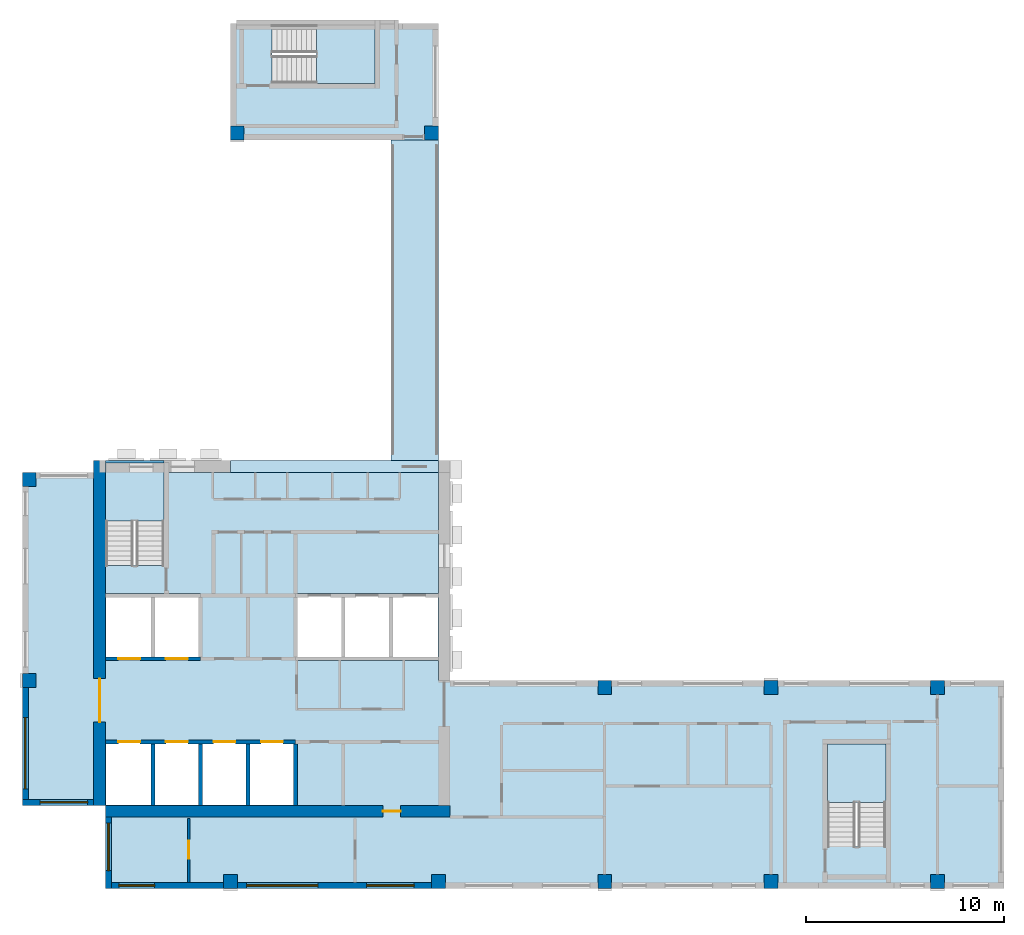
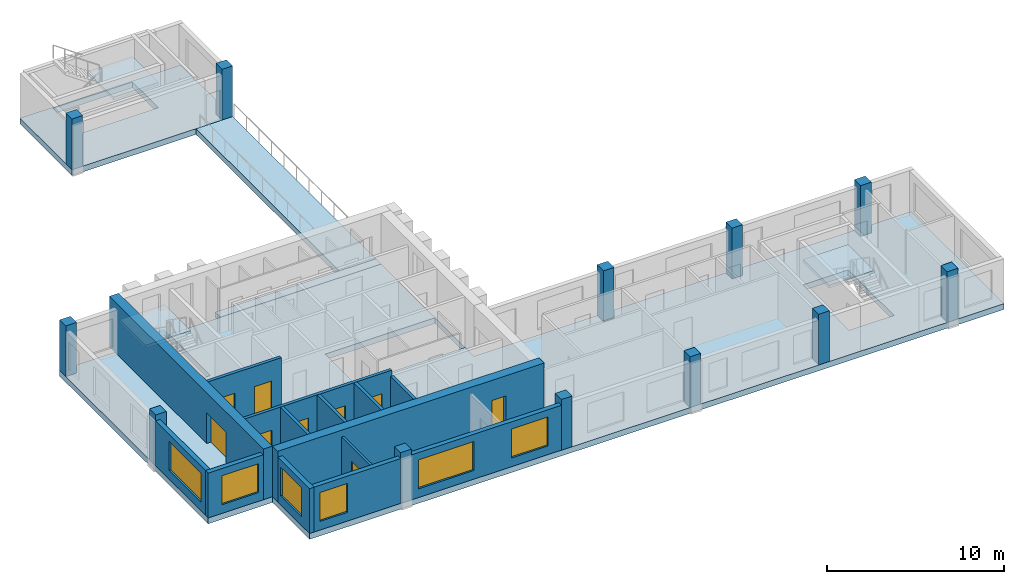
# One storey, part 1 of 9: 14 walls, 12 columns, 9 doors, 8 slabs, 6 windows, 15 openings, 3 elements without a shape of their own.
"""IFC4 building model written with IfcOpenShell, lengths in metres."""

from ifc_helpers import new_model, si_unit, direction, frame, frame_2d, origin, origin_2d, place, context, subcontext, project, spatial, polyline, rectangle, outline, extrude, source, transform, mapped, material, layer, layer_set, material_profile, profile_set, type_object, element, fill, aggregate, save


model = new_model("IFC4")

# Units and contexts
model_context = context("Model", 3, precision=1e-05, world=origin(), true_north=direction((0.0, 1.0)))
body_context = subcontext(model_context, "Body", "Model", "MODEL_VIEW")
ifc_project = project(units=[si_unit("LENGTHUNIT", "METRE"), si_unit("AREAUNIT", "SQUARE_METRE"), si_unit("VOLUMEUNIT", "CUBIC_METRE"), si_unit("PLANEANGLEUNIT", "RADIAN"), si_unit("MASSUNIT", "GRAM", prefix="KILO")], contexts=[model_context])

# Site, building, storey
site_placement = place(None, origin())
site = spatial("IfcSite", under=ifc_project, at=site_placement, CompositionType="ELEMENT")
building_placement = place(site_placement, origin())
building = spatial("IfcBuilding", under=site, at=building_placement, Name="Aurelian Terraces", CompositionType="ELEMENT")
storey_placement = place(building_placement, frame((0.0, 0.0, 316.0)))
storey = spatial("IfcBuildingStorey", under=building, at=storey_placement, Name="L73", CompositionType="ELEMENT", Elevation=316.0)

# Columns
ifc_material_1 = material(Name="Concrete fc' 55 MPa", Category="concrete")
ifc_material_profile = material_profile(ifc_material_1, rectangle(XDim=0.7, YDim=0.7, at=origin_2d()))
ifc_profile_set = profile_set([ifc_material_profile], Name="Concrete fc' 55 MPa")
column_type = type_object("IfcColumnType", Name="RC COLUMN 700X700 FC55", PredefinedType="COLUMN", material=ifc_profile_set)
shared_shape_1 = source(origin(), body_context, "Body", "SweptSolid", [
    extrude(rectangle(XDim=0.7, YDim=0.7, at=origin_2d()), origin(), (0.0, 0.0, 1.0), 3.5),
])
for number, where, z_axis, x_axis, name in (
    (1, (10.5, 0.35, 0.0), (0.0, 0.0, 1.0), (1.0, 0.0, 0.0), "Column 2/A L73"),
    (2, (21.0, 0.35, 0.0), (0.0, 0.0, 1.0), (1.0, 0.0, 0.0), "Column 3/A L73"),
    (3, (29.4, 0.35, 0.0), (0.0, 0.0, 1.0), (1.0, 0.0, 0.0), "Column 4/A L73"),
    (4, (37.8, 0.35, 0.0), (0.0, 0.0, 1.0), (1.0, 0.0, 0.0), "Column 5/A L73"),
    (5, (46.2, 0.35, 0.0), (0.0, 0.0, 1.0), (1.0, 0.0, 0.0), "Column 6/A L73"),
    (6, (0.35, 10.5, 0.0), (0.0, 0.0, 1.0), (1.0, 0.0, 0.0), "Column 1/B L73"),
    (7, (29.4, 10.15, 0.0), (0.0, 0.0, 1.0), (1.0, 0.0, 0.0), "Column 4/B L73"),
    (8, (37.8, 10.15, 0.0), (0.0, 0.0, 1.0), (1.0, 0.0, 0.0), "Column 5/B L73"),
    (9, (46.2, 10.15, 0.0), (0.0, 0.0, 1.0), (1.0, 0.0, 0.0), "Column 6/B L73"),
    (10, (0.35, 20.65, 0.0), (0.0, 0.0, 1.0), (1.0, 0.0, 0.0), "Column 1/C L73"),
    (11, (10.85, 38.15, 0.0), (0.0, 0.0, 1.0), (1.0, 0.0, 0.0), "Column 2/E L73"),
    (12, (20.65, 38.15, 0.0), (0.0, 0.0, 1.0), (1.0, 0.0, 0.0), "Column 3/E L73"),
):
    element("IfcColumn", number, at=place(storey_placement, frame(where, z_axis=z_axis, x_axis=x_axis)), inside=storey, type_object=column_type, Name=name, PredefinedType="COLUMN", context=body_context, shape_type="MappedRepresentation", body=[
        mapped(shared_shape_1, transform((0.0, 0.0, 0.0), scale=1.0)),
    ])

# Slabs
ifc_material_2 = material(Name="Concrete fc' 40 MPa", Category="concrete")
ifc_layer_1 = layer(ifc_material_2, 0.4001)
ifc_layer_set_1 = layer_set([ifc_layer_1], Name="Terrace slab 400")
slab_type_1 = type_object("IfcSlabType", Name="Terrace slab 400", PredefinedType="NOTDEFINED", material=ifc_layer_set_1)
slab_1_placement = place(storey_placement, frame((0.0, 0.0, -0.4001)))
element("IfcSlab", 13, at=slab_1_placement, inside=storey, type_object=slab_type_1, Name="Sky bridge L73 BLADE-W-B73", PredefinedType="NOTDEFINED", context=body_context, shape_type="SweptSolid", body=[
    extrude(outline(polyline([(21.0, 21.6), (18.6, 21.6), (18.6, 37.8), (21.0, 37.8), (21.0, 21.6)])), origin(), (0.0, 0.0, 1.0), 0.4001),
])
ifc_layer_2 = layer(ifc_material_2, 0.4)
ifc_layer_set_2 = layer_set([ifc_layer_2], Name="PT FLAT PLATE 400")
slab_type_2 = type_object("IfcSlabType", Name="PT FLAT PLATE 400", PredefinedType="FLOOR", material=ifc_layer_set_2)
shared_shape_2 = source(origin(), body_context, "Body", "SweptSolid", [
    extrude(outline(polyline([(21.0, 0.0), (4.2, 0.0), (4.2, 4.2), (0.0, 4.2), (0.0, 10.5), (0.0, 21.0), (4.21, 21.0), (4.21, 16.31), (7.14, 16.31), (7.14, 21.0), (21.0, 21.0), (21.0, 10.5), (49.56, 10.5), (49.56, 6.3), (49.56, 4.2), (49.56, 0.0), (21.0, 0.0)]), holes=[polyline([(40.66, 2.11), (43.59, 2.11), (43.59, 7.29), (40.66, 7.29), (40.66, 2.11)]), polyline([(13.81, 14.89), (13.81, 11.51), (20.99, 11.51), (20.99, 14.89), (13.81, 14.89)]), polyline([(4.21, 7.49), (4.21, 4.21), (13.79, 4.21), (13.79, 7.49), (4.21, 7.49)]), polyline([(8.99, 11.51), (8.99, 14.89), (4.21, 14.89), (4.21, 11.51), (8.99, 11.51)])]), origin(), (0.0, 0.0, 1.0), 0.4),
])
slab_2_placement = place(storey_placement, frame((0.0, 0.0, -0.4)))
element("IfcSlab", 14, at=slab_2_placement, inside=storey, type_object=slab_type_2, Name="Floor slab S L73", PredefinedType="FLOOR", context=body_context, shape_type="MappedRepresentation", body=[
    mapped(shared_shape_2, transform((0.0, 0.0, 0.0), scale=1.0)),
])
shared_shape_3 = source(origin(), body_context, "Body", "SweptSolid", [
    extrude(outline(polyline([(14.7, 43.68), (16.8, 43.68), (21.0, 43.68), (21.0, 37.8), (10.5, 37.8), (10.5, 43.68), (14.7, 43.68)]), holes=[polyline([(17.79, 43.59), (12.61, 43.59), (12.61, 40.66), (17.79, 40.66), (17.79, 43.59)])]), origin(), (0.0, 0.0, 1.0), 0.4),
])
slab_3_placement = place(storey_placement, frame((0.0, 0.0, -0.4)))
element("IfcSlab", 15, at=slab_3_placement, inside=storey, type_object=slab_type_2, Name="Floor slab W L73", PredefinedType="FLOOR", context=body_context, shape_type="MappedRepresentation", body=[
    mapped(shared_shape_3, transform((0.0, 0.0, 0.0), scale=1.0)),
])
shared_shape_4 = source(origin(), body_context, "Body", "SweptSolid", [
    extrude(outline(polyline([(21.0, 21.6), (21.0, 21.0), (10.5, 21.0), (10.5, 21.6), (21.0, 21.6)])), origin(), (0.0, 0.0, 1.0), 0.4),
])
slab_4_placement = place(storey_placement, frame((0.0, 0.0, -0.4)))
element("IfcSlab", 16, at=slab_4_placement, inside=storey, type_object=slab_type_2, Name="Floor slab W2 L73", PredefinedType="FLOOR", context=body_context, shape_type="MappedRepresentation", body=[
    mapped(shared_shape_4, transform((0.0, 0.0, 0.0), scale=1.0)),
])
shared_shape_5 = source(origin(), body_context, "Body", "SweptSolid", [
    extrude(outline(polyline([(4.2, 21.6), (7.15, 21.6), (7.15, 21.0), (7.14, 21.0), (7.14, 21.49), (4.21, 21.49), (4.21, 21.0), (4.2, 21.0), (4.2, 21.6)])), origin(), (0.0, 0.0, 1.0), 0.4),
])
slab_5_placement = place(storey_placement, frame((0.0, 0.0, -0.4)))
element("IfcSlab", 17, at=slab_5_placement, inside=storey, type_object=slab_type_2, Name="Floor slab W3 L73", PredefinedType="FLOOR", context=body_context, shape_type="MappedRepresentation", body=[
    mapped(shared_shape_5, transform((0.0, 0.0, 0.0), scale=1.0)),
])

# Stair, slab
stair_type = type_object("IfcStairType", Name="Stair 1400", PredefinedType="HALF_TURN_STAIR", material=ifc_material_2)
stair_1_placement = place(storey_placement, origin())
stair_1 = element("IfcStair", 18, at=stair_1_placement, inside=storey, type_object=stair_type, Name="L73 S1", PredefinedType="HALF_TURN_STAIR")
ifc_layer_3 = layer(ifc_material_2, 0.2)
ifc_layer_set_3 = layer_set([ifc_layer_3], Name="Stair landing 200")
slab_type_3 = type_object("IfcSlabType", Name="Stair landing 200", PredefinedType="LANDING", material=ifc_layer_set_3)
shared_shape_6 = source(origin(), body_context, "Body", "SweptSolid", [
    extrude(outline(polyline([(7.15, 18.55), (7.15, 21.5), (4.2, 21.5), (4.2, 18.55), (7.15, 18.55)])), origin(), (0.0, 0.0, 1.0), 0.2),
])
slab_6_placement = place(storey_placement, frame((0.0, 0.0, 1.55)))
slab_6 = element("IfcSlab", 19, at=slab_6_placement, type_object=slab_type_3, Name="S1 landing 1", PredefinedType="LANDING", context=body_context, shape_type="MappedRepresentation", body=[
    mapped(shared_shape_6, transform((0.0, 0.0, 0.0), scale=1.0)),
])
aggregate(stair_1, [slab_6])

stair_2_placement = place(storey_placement, origin())
stair_2 = element("IfcStair", 20, at=stair_2_placement, inside=storey, type_object=stair_type, Name="L73 S2", PredefinedType="HALF_TURN_STAIR")
shared_shape_7 = source(origin(), body_context, "Body", "SweptSolid", [
    extrude(outline(polyline([(43.6, 4.35), (43.6, 7.3), (40.65, 7.3), (40.65, 4.35), (43.6, 4.35)])), origin(), (0.0, 0.0, 1.0), 0.2),
])
slab_7_placement = place(storey_placement, frame((0.0, 0.0, 1.55)))
slab_7 = element("IfcSlab", 21, at=slab_7_placement, type_object=slab_type_3, Name="S2 landing 1", PredefinedType="LANDING", context=body_context, shape_type="MappedRepresentation", body=[
    mapped(shared_shape_7, transform((0.0, 0.0, 0.0), scale=1.0)),
])
aggregate(stair_2, [slab_7])

stair_3_placement = place(storey_placement, origin())
stair_3 = element("IfcStair", 22, at=stair_3_placement, inside=storey, type_object=stair_type, Name="L73 S3U", PredefinedType="HALF_TURN_STAIR")
shared_shape_8 = source(origin(), body_context, "Body", "SweptSolid", [
    extrude(outline(polyline([(14.85, 40.65), (17.8, 40.65), (17.8, 43.6), (14.85, 43.6), (14.85, 40.65)])), origin(), (0.0, 0.0, 1.0), 0.2),
])
slab_8_placement = place(storey_placement, frame((0.0, 0.0, 1.55)))
slab_8 = element("IfcSlab", 23, at=slab_8_placement, type_object=slab_type_3, Name="S3U landing 1", PredefinedType="LANDING", context=body_context, shape_type="MappedRepresentation", body=[
    mapped(shared_shape_8, transform((0.0, 0.0, 0.0), scale=1.0)),
])
aggregate(stair_3, [slab_8])

# Wall, opening, door
ifc_layer_4 = layer(ifc_material_1, 0.6)
ifc_layer_set_4 = layer_set([ifc_layer_4], Name="CORE WALL 600 FC55")
wall_type_1 = type_object("IfcWallType", Name="CORE WALL 600 FC55", PredefinedType="SHEAR", material=ifc_layer_set_4)
shared_shape_9 = source(origin(), body_context, "Body", "SweptSolid", [
    extrude(rectangle(XDim=17.4, YDim=0.6, at=frame_2d((8.7, 0.0))), origin(), (0.0, 0.0, 1.0), 3.5),
])
wall_1_placement = place(storey_placement, frame((3.9, 4.2, 0.0), z_axis=(0.0, 0.0, 1.0), x_axis=(0.0, 1.0, 0.0)))
wall_1 = element("IfcWall", 24, at=wall_1_placement, inside=storey, type_object=wall_type_1, Name="Core wall W L73", PredefinedType="SHEAR", context=body_context, shape_type="MappedRepresentation", body=[
    mapped(shared_shape_9, transform((0.0, 0.0, 0.0), scale=1.0)),
])
shared_shape_10 = source(origin(), body_context, "Body", "SweptSolid", [
    extrude(rectangle(XDim=2.2, YDim=2.1, at=frame_2d((1.1, 1.05))), frame((0.0, 0.31, 0.0), z_axis=(0.0, -1.0, 0.0), x_axis=(1.0, 0.0, 0.0)), (0.0, 0.0, 1.0), 0.62),
])
opening_1_placement = place(wall_1_placement, frame((4.2, 0.0, 0.0)))
opening_1 = element("IfcOpeningElement", 25, at=opening_1_placement, cuts=wall_1, Name="Opening 67632", PredefinedType="OPENING", context=body_context, shape_type="MappedRepresentation", body=[
    mapped(shared_shape_10, transform((0.0, 0.0, 0.0), scale=1.0)),
])
ifc_material_3 = material(Name="Steel door leaf", Category="steel")
door_type_1 = type_object("IfcDoorType", Name="Core double door 2200x2100", OperationType="DOUBLE_DOOR_SINGLE_SWING", PredefinedType="DOOR", material=ifc_material_3)
shared_shape_11 = source(origin(), body_context, "Body", "SweptSolid", [
    extrude(rectangle(XDim=2.2, YDim=2.1, at=frame_2d((1.1, 1.05))), frame((0.0, 0.025, 0.0), z_axis=(0.0, -1.0, 0.0), x_axis=(1.0, 0.0, 0.0)), (0.0, 0.0, 1.0), 0.05),
])
door_1_placement = place(opening_1_placement, origin())
door_1 = element("IfcDoor", 26, at=door_1_placement, inside=storey, type_object=door_type_1, Name="Core door 67632", OperationType="DOUBLE_DOOR_SINGLE_SWING", OverallHeight=2.1, OverallWidth=2.2, PredefinedType="DOOR", context=body_context, shape_type="MappedRepresentation", body=[
    mapped(shared_shape_11, transform((0.0, 0.0, 0.0), scale=1.0)),
])
fill(opening_1, door_1)

wall_2_placement = place(storey_placement, frame((4.2, 3.9, 0.0), z_axis=(0.0, 0.0, 1.0), x_axis=(1.0, 0.0, 0.0)))
wall_2 = element("IfcWall", 27, at=wall_2_placement, inside=storey, type_object=wall_type_1, Name="Core wall S L73", PredefinedType="SHEAR", context=body_context, shape_type="MappedRepresentation", body=[
    mapped(shared_shape_9, transform((0.0, 0.0, 0.0), scale=1.0)),
])
shared_shape_12 = source(origin(), body_context, "Body", "SweptSolid", [
    extrude(rectangle(XDim=0.9, YDim=2.1, at=frame_2d((0.45, 1.05))), frame((0.0, 0.31, 0.0), z_axis=(0.0, -1.0, 0.0), x_axis=(1.0, 0.0, 0.0)), (0.0, 0.0, 1.0), 0.62),
])
opening_2_placement = place(wall_2_placement, frame((14.0, 0.0, 0.0)))
opening_2 = element("IfcOpeningElement", 28, at=opening_2_placement, cuts=wall_2, Name="Opening 67634", PredefinedType="OPENING", context=body_context, shape_type="MappedRepresentation", body=[
    mapped(shared_shape_12, transform((0.0, 0.0, 0.0), scale=1.0)),
])
door_type_2 = type_object("IfcDoorType", Name="Core service door 900x2100 right", OperationType="SINGLE_SWING_RIGHT", PredefinedType="DOOR", material=ifc_material_3)
shared_shape_13 = source(origin(), body_context, "Body", "SweptSolid", [
    extrude(rectangle(XDim=0.9, YDim=2.1, at=frame_2d((0.45, 1.05))), frame((0.0, 0.025, 0.0), z_axis=(0.0, -1.0, 0.0), x_axis=(1.0, 0.0, 0.0)), (0.0, 0.0, 1.0), 0.05),
])
door_2_placement = place(opening_2_placement, origin())
door_2 = element("IfcDoor", 29, at=door_2_placement, inside=storey, type_object=door_type_2, Name="Core door 67634", OperationType="SINGLE_SWING_RIGHT", OverallHeight=2.1, OverallWidth=0.9, PredefinedType="DOOR", context=body_context, shape_type="MappedRepresentation", body=[
    mapped(shared_shape_13, transform((0.0, 0.0, 0.0), scale=1.0)),
])
fill(opening_2, door_2)

# Wall, opening, window
ifc_material_4 = material(Name="Terracotta rainscreen cladding", Category="masonry")
ifc_layer_5 = layer(ifc_material_4, 0.3)
ifc_layer_set_5 = layer_set([ifc_layer_5], Name="EW-300")
wall_type_2 = type_object("IfcWallType", Name="EW-300", PredefinedType="STANDARD", material=ifc_layer_set_5)
shared_shape_14 = source(origin(), body_context, "Body", "SweptSolid", [
    extrude(rectangle(XDim=3.6, YDim=0.3, at=frame_2d((1.8, 0.0))), origin(), (0.0, 0.0, 1.0), 3.1),
])
wall_3_placement = place(storey_placement, frame((0.0, 4.35, 0.0), z_axis=(0.0, 0.0, 1.0), x_axis=(1.0, 0.0, 0.0)))
wall_3 = element("IfcWall", 30, at=wall_3_placement, inside=storey, type_object=wall_type_2, Name="External wall L73 F13.19", PredefinedType="STANDARD", context=body_context, shape_type="MappedRepresentation", body=[
    mapped(shared_shape_14, transform((0.0, 0.0, 0.0), scale=1.0)),
])
shared_shape_15 = source(origin(), body_context, "Body", "SweptSolid", [
    extrude(rectangle(XDim=2.4, YDim=2.0, at=frame_2d((1.2, 1.0))), frame((0.0, 0.16, 0.0), z_axis=(0.0, -1.0, 0.0), x_axis=(1.0, 0.0, 0.0)), (0.0, 0.0, 1.0), 0.32),
])
opening_3_placement = place(wall_3_placement, frame((0.9, 0.0, 0.6)))
opening_3 = element("IfcOpeningElement", 31, at=opening_3_placement, cuts=wall_3, Name="Opening W2420", PredefinedType="OPENING", context=body_context, shape_type="MappedRepresentation", body=[
    mapped(shared_shape_15, transform((0.0, 0.0, 0.0), scale=1.0)),
])
ifc_material_5 = material(Name="Clear glazing", Category="glass")
window_type_1 = type_object("IfcWindowType", Name="W-2400x2000", PartitioningType="SINGLE_PANEL", PredefinedType="WINDOW", material=ifc_material_5)
shared_shape_16 = source(origin(), body_context, "Body", "SweptSolid", [
    extrude(rectangle(XDim=2.4, YDim=2.0, at=frame_2d((1.2, 1.0))), frame((0.0, 0.03, 0.0), z_axis=(0.0, -1.0, 0.0), x_axis=(1.0, 0.0, 0.0)), (0.0, 0.0, 1.0), 0.06),
])
window_1_placement = place(opening_3_placement, origin())
window_1 = element("IfcWindow", 32, at=window_1_placement, inside=storey, type_object=window_type_1, Name="Window L73 L73-F13-19-0", OverallHeight=2.0, OverallWidth=2.4, PartitioningType="SINGLE_PANEL", PredefinedType="WINDOW", context=body_context, shape_type="MappedRepresentation", body=[
    mapped(shared_shape_16, transform((0.0, 0.0, 0.0), scale=1.0)),
])
fill(opening_3, window_1)

wall_4_placement = place(storey_placement, frame((4.35, 3.6, 0.0), z_axis=(0.0, 0.0, 1.0), x_axis=(0.0, -1.0, 0.0)))
wall_4 = element("IfcWall", 33, at=wall_4_placement, inside=storey, type_object=wall_type_2, Name="External wall L73 F14.20", PredefinedType="STANDARD", context=body_context, shape_type="MappedRepresentation", body=[
    mapped(shared_shape_14, transform((0.0, 0.0, 0.0), scale=1.0)),
])
opening_4_placement = place(wall_4_placement, frame((0.3, 0.0, 0.6)))
opening_4 = element("IfcOpeningElement", 34, at=opening_4_placement, cuts=wall_4, Name="Opening W2420", PredefinedType="OPENING", context=body_context, shape_type="MappedRepresentation", body=[
    mapped(shared_shape_15, transform((0.0, 0.0, 0.0), scale=1.0)),
])
window_2_placement = place(opening_4_placement, origin())
window_2 = element("IfcWindow", 35, at=window_2_placement, inside=storey, type_object=window_type_1, Name="Window L73 L73-F14-20-0", OverallHeight=2.0, OverallWidth=2.4, PartitioningType="SINGLE_PANEL", PredefinedType="WINDOW", context=body_context, shape_type="MappedRepresentation", body=[
    mapped(shared_shape_16, transform((0.0, 0.0, 0.0), scale=1.0)),
])
fill(opening_4, window_2)

# Wall, openings, windows
shared_shape_17 = source(origin(), body_context, "Body", "SweptSolid", [
    extrude(rectangle(XDim=9.8, YDim=0.3, at=frame_2d((4.9, 0.0))), origin(), (0.0, 0.0, 1.0), 3.1),
])
wall_5_placement = place(storey_placement, frame((10.85, 0.15, 0.0), z_axis=(0.0, 0.0, 1.0), x_axis=(1.0, 0.0, 0.0)))
wall_5 = element("IfcWall", 36, at=wall_5_placement, inside=storey, type_object=wall_type_2, Name="External wall L73 F01.2", PredefinedType="STANDARD", context=body_context, shape_type="MappedRepresentation", body=[
    mapped(shared_shape_17, transform((0.0, 0.0, 0.0), scale=1.0)),
])
shared_shape_18 = source(origin(), body_context, "Body", "SweptSolid", [
    extrude(rectangle(XDim=3.6, YDim=2.0, at=frame_2d((1.8, 1.0))), frame((0.0, 0.16, 0.0), z_axis=(0.0, -1.0, 0.0), x_axis=(1.0, 0.0, 0.0)), (0.0, 0.0, 1.0), 0.32),
])
opening_5_placement = place(wall_5_placement, frame((0.475, 0.0, 0.6)))
opening_5 = element("IfcOpeningElement", 37, at=opening_5_placement, cuts=wall_5, Name="Opening W3620", PredefinedType="OPENING", context=body_context, shape_type="MappedRepresentation", body=[
    mapped(shared_shape_18, transform((0.0, 0.0, 0.0), scale=1.0)),
])
opening_6_placement = place(wall_5_placement, frame((6.525, 0.0, 0.6)))
opening_6 = element("IfcOpeningElement", 38, at=opening_6_placement, cuts=wall_5, Name="Opening W2420", PredefinedType="OPENING", context=body_context, shape_type="MappedRepresentation", body=[
    mapped(shared_shape_15, transform((0.0, 0.0, 0.0), scale=1.0)),
])
window_3_placement = place(opening_6_placement, origin())
window_3 = element("IfcWindow", 39, at=window_3_placement, inside=storey, type_object=window_type_1, Name="Window L73 L73-F01-02-1", OverallHeight=2.0, OverallWidth=2.4, PartitioningType="SINGLE_PANEL", PredefinedType="WINDOW", context=body_context, shape_type="MappedRepresentation", body=[
    mapped(shared_shape_16, transform((0.0, 0.0, 0.0), scale=1.0)),
])
fill(opening_6, window_3)
window_type_2 = type_object("IfcWindowType", Name="W-3600x2000", PartitioningType="SINGLE_PANEL", PredefinedType="WINDOW", material=ifc_material_5)
shared_shape_19 = source(origin(), body_context, "Body", "SweptSolid", [
    extrude(rectangle(XDim=3.6, YDim=2.0, at=frame_2d((1.8, 1.0))), frame((0.0, 0.03, 0.0), z_axis=(0.0, -1.0, 0.0), x_axis=(1.0, 0.0, 0.0)), (0.0, 0.0, 1.0), 0.06),
])
window_4_placement = place(opening_5_placement, origin())
window_4 = element("IfcWindow", 40, at=window_4_placement, inside=storey, type_object=window_type_2, Name="Window L73 L73-F01-02-0", OverallHeight=2.0, OverallWidth=3.6, PartitioningType="SINGLE_PANEL", PredefinedType="WINDOW", context=body_context, shape_type="MappedRepresentation", body=[
    mapped(shared_shape_19, transform((0.0, 0.0, 0.0), scale=1.0)),
])
fill(opening_5, window_4)

# Wall, opening, window
shared_shape_20 = source(origin(), body_context, "Body", "SweptSolid", [
    extrude(rectangle(XDim=5.95, YDim=0.3, at=frame_2d((2.975, 0.0))), origin(), (0.0, 0.0, 1.0), 3.1),
])
wall_6_placement = place(storey_placement, frame((4.2, 0.15, 0.0), z_axis=(0.0, 0.0, 1.0), x_axis=(1.0, 0.0, 0.0)))
wall_6 = element("IfcWall", 41, at=wall_6_placement, inside=storey, type_object=wall_type_2, Name="External wall L73 F01.1", PredefinedType="STANDARD", context=body_context, shape_type="MappedRepresentation", body=[
    mapped(shared_shape_20, transform((0.0, 0.0, 0.0), scale=1.0)),
])
shared_shape_21 = source(origin(), body_context, "Body", "SweptSolid", [
    extrude(rectangle(XDim=1.8, YDim=2.0, at=frame_2d((0.9, 1.0))), frame((0.0, 0.16, 0.0), z_axis=(0.0, -1.0, 0.0), x_axis=(1.0, 0.0, 0.0)), (0.0, 0.0, 1.0), 0.32),
])
opening_7_placement = place(wall_6_placement, frame((0.675, 0.0, 0.6)))
opening_7 = element("IfcOpeningElement", 42, at=opening_7_placement, cuts=wall_6, Name="Opening W1820", PredefinedType="OPENING", context=body_context, shape_type="MappedRepresentation", body=[
    mapped(shared_shape_21, transform((0.0, 0.0, 0.0), scale=1.0)),
])
window_type_3 = type_object("IfcWindowType", Name="W-1800x2000", PartitioningType="SINGLE_PANEL", PredefinedType="WINDOW", material=ifc_material_5)
shared_shape_22 = source(origin(), body_context, "Body", "SweptSolid", [
    extrude(rectangle(XDim=1.8, YDim=2.0, at=frame_2d((0.9, 1.0))), frame((0.0, 0.03, 0.0), z_axis=(0.0, -1.0, 0.0), x_axis=(1.0, 0.0, 0.0)), (0.0, 0.0, 1.0), 0.06),
])
window_5_placement = place(opening_7_placement, origin())
window_5 = element("IfcWindow", 43, at=window_5_placement, inside=storey, type_object=window_type_3, Name="Window L73 L73-F01-01-0", OverallHeight=2.0, OverallWidth=1.8, PartitioningType="SINGLE_PANEL", PredefinedType="WINDOW", context=body_context, shape_type="MappedRepresentation", body=[
    mapped(shared_shape_22, transform((0.0, 0.0, 0.0), scale=1.0)),
])
fill(opening_7, window_5)

wall_7_placement = place(storey_placement, frame((0.15, 10.15, 0.0), z_axis=(0.0, 0.0, 1.0), x_axis=(0.0, -1.0, 0.0)))
wall_7 = element("IfcWall", 44, at=wall_7_placement, inside=storey, type_object=wall_type_2, Name="External wall L73 F12.18", PredefinedType="STANDARD", context=body_context, shape_type="MappedRepresentation", body=[
    mapped(shared_shape_20, transform((0.0, 0.0, 0.0), scale=1.0)),
])
opening_8_placement = place(wall_7_placement, frame((1.525, 0.0, 0.6)))
opening_8 = element("IfcOpeningElement", 45, at=opening_8_placement, cuts=wall_7, Name="Opening W3620", PredefinedType="OPENING", context=body_context, shape_type="MappedRepresentation", body=[
    mapped(shared_shape_18, transform((0.0, 0.0, 0.0), scale=1.0)),
])
window_6_placement = place(opening_8_placement, origin())
window_6 = element("IfcWindow", 46, at=window_6_placement, inside=storey, type_object=window_type_2, Name="Window L73 L73-F12-18-3", OverallHeight=2.0, OverallWidth=3.6, PartitioningType="SINGLE_PANEL", PredefinedType="WINDOW", context=body_context, shape_type="MappedRepresentation", body=[
    mapped(shared_shape_19, transform((0.0, 0.0, 0.0), scale=1.0)),
])
fill(opening_8, window_6)

# Walls
ifc_layer_6 = layer(ifc_material_2, 0.2)
ifc_layer_set_6 = layer_set([ifc_layer_6], Name="Lift shaft wall 200")
wall_type_3 = type_object("IfcWallType", Name="Lift shaft wall 200", PredefinedType="SOLIDWALL", material=ifc_layer_set_6)
shared_shape_23 = source(origin(), body_context, "Body", "SweptSolid", [
    extrude(rectangle(XDim=3.1, YDim=0.2, at=frame_2d((1.55, 0.0))), origin(), (0.0, 0.0, 1.0), 3.5),
])
for number, where, z_axis, x_axis, name in (
    (47, (6.6, 4.2, 0.0), (0.0, 0.0, 1.0), (0.0, 1.0, 0.0), "L73 core wall CD-A1"),
    (48, (9.0, 4.2, 0.0), (0.0, 0.0, 1.0), (0.0, 1.0, 0.0), "L73 core wall CD-A2"),
    (49, (11.4, 4.2, 0.0), (0.0, 0.0, 1.0), (0.0, 1.0, 0.0), "L73 core wall CD-A3"),
):
    element("IfcWall", number, at=place(storey_placement, frame(where, z_axis=z_axis, x_axis=x_axis)), inside=storey, type_object=wall_type_3, Name=name, PredefinedType="SOLIDWALL", context=body_context, shape_type="MappedRepresentation", body=[
        mapped(shared_shape_23, transform((0.0, 0.0, 0.0), scale=1.0)),
    ])
shared_shape_24 = source(origin(), body_context, "Body", "SweptSolid", [
    extrude(rectangle(XDim=3.1, YDim=0.2, at=frame_2d((1.55, 0.0))), origin(), (0.0, 0.0, 1.0), 3.1),
])
wall_8_placement = place(storey_placement, frame((13.8, 4.2, 0.0), z_axis=(0.0, 0.0, 1.0), x_axis=(0.0, 1.0, 0.0)))
element("IfcWall", 50, at=wall_8_placement, inside=storey, type_object=wall_type_3, Name="L73 core wall CD-A4", PredefinedType="SOLIDWALL", context=body_context, shape_type="MappedRepresentation", body=[
    mapped(shared_shape_24, transform((0.0, 0.0, 0.0), scale=1.0)),
])

# Wall, openings, doors
shared_shape_25 = source(origin(), body_context, "Body", "SweptSolid", [
    extrude(rectangle(XDim=4.8, YDim=0.2, at=frame_2d((2.4, 0.0))), origin(), (0.0, 0.0, 1.0), 3.5),
])
wall_9_placement = place(storey_placement, frame((4.2, 11.6, 0.0), z_axis=(0.0, 0.0, 1.0), x_axis=(1.0, 0.0, 0.0)))
wall_9 = element("IfcWall", 51, at=wall_9_placement, inside=storey, type_object=wall_type_3, Name="L73 core wall CF-BF1", PredefinedType="SOLIDWALL", context=body_context, shape_type="MappedRepresentation", body=[
    mapped(shared_shape_25, transform((0.0, 0.0, 0.0), scale=1.0)),
])
shared_shape_26 = source(origin(), body_context, "Body", "SweptSolid", [
    extrude(rectangle(XDim=1.1, YDim=2.1, at=frame_2d((0.55, 1.05))), frame((0.0, 0.11, 0.0), z_axis=(0.0, -1.0, 0.0), x_axis=(1.0, 0.0, 0.0)), (0.0, 0.0, 1.0), 0.22),
])
opening_9_placement = place(wall_9_placement, frame((0.65, 0.0, 0.0)))
opening_9 = element("IfcOpeningElement", 52, at=opening_9_placement, cuts=wall_9, Name="Opening 67606", PredefinedType="OPENING", context=body_context, shape_type="MappedRepresentation", body=[
    mapped(shared_shape_26, transform((0.0, 0.0, 0.0), scale=1.0)),
])
opening_10_placement = place(wall_9_placement, frame((3.05, 0.0, 0.0)))
opening_10 = element("IfcOpeningElement", 53, at=opening_10_placement, cuts=wall_9, Name="Opening 67607", PredefinedType="OPENING", context=body_context, shape_type="MappedRepresentation", body=[
    mapped(shared_shape_26, transform((0.0, 0.0, 0.0), scale=1.0)),
])
ifc_material_6 = material(Name="Stainless steel", Category="steel")
door_type_3 = type_object("IfcDoorType", Name="Lift landing door 1100x2100", OperationType="SLIDING_TO_LEFT", PredefinedType="DOOR", material=ifc_material_6)
shared_shape_27 = source(origin(), body_context, "Body", "SweptSolid", [
    extrude(rectangle(XDim=1.1, YDim=2.1, at=frame_2d((0.55, 1.05))), frame((0.0, 0.025, 0.0), z_axis=(0.0, -1.0, 0.0), x_axis=(1.0, 0.0, 0.0)), (0.0, 0.0, 1.0), 0.05),
])
door_3_placement = place(opening_9_placement, origin())
door_3 = element("IfcDoor", 54, at=door_3_placement, inside=storey, type_object=door_type_3, Name="Lift landing door LH5 L73", OperationType="SLIDING_TO_LEFT", OverallHeight=2.1, OverallWidth=1.1, PredefinedType="DOOR", context=body_context, shape_type="MappedRepresentation", body=[
    mapped(shared_shape_27, transform((0.0, 0.0, 0.0), scale=1.0)),
])
fill(opening_9, door_3)
door_4_placement = place(opening_10_placement, origin())
door_4 = element("IfcDoor", 55, at=door_4_placement, inside=storey, type_object=door_type_3, Name="Lift landing door LH6 L73", OperationType="SLIDING_TO_LEFT", OverallHeight=2.1, OverallWidth=1.1, PredefinedType="DOOR", context=body_context, shape_type="MappedRepresentation", body=[
    mapped(shared_shape_27, transform((0.0, 0.0, 0.0), scale=1.0)),
])
fill(opening_10, door_4)

shared_shape_28 = source(origin(), body_context, "Body", "SweptSolid", [
    extrude(rectangle(XDim=9.6, YDim=0.2, at=frame_2d((4.8, 0.0))), origin(), (0.0, 0.0, 1.0), 3.5),
])
wall_10_placement = place(storey_placement, frame((4.2, 7.4, 0.0), z_axis=(0.0, 0.0, 1.0), x_axis=(1.0, 0.0, 0.0)))
wall_10 = element("IfcWall", 56, at=wall_10_placement, inside=storey, type_object=wall_type_3, Name="L73 core wall CF-AF1", PredefinedType="SOLIDWALL", context=body_context, shape_type="MappedRepresentation", body=[
    mapped(shared_shape_28, transform((0.0, 0.0, 0.0), scale=1.0)),
])
opening_11_placement = place(wall_10_placement, frame((0.65, 0.0, 0.0)))
opening_11 = element("IfcOpeningElement", 57, at=opening_11_placement, cuts=wall_10, Name="Opening 67600", PredefinedType="OPENING", context=body_context, shape_type="MappedRepresentation", body=[
    mapped(shared_shape_26, transform((0.0, 0.0, 0.0), scale=1.0)),
])
opening_12_placement = place(wall_10_placement, frame((3.05, 0.0, 0.0)))
opening_12 = element("IfcOpeningElement", 58, at=opening_12_placement, cuts=wall_10, Name="Opening 67601", PredefinedType="OPENING", context=body_context, shape_type="MappedRepresentation", body=[
    mapped(shared_shape_26, transform((0.0, 0.0, 0.0), scale=1.0)),
])
opening_13_placement = place(wall_10_placement, frame((5.45, 0.0, 0.0)))
opening_13 = element("IfcOpeningElement", 59, at=opening_13_placement, cuts=wall_10, Name="Opening 67602", PredefinedType="OPENING", context=body_context, shape_type="MappedRepresentation", body=[
    mapped(shared_shape_26, transform((0.0, 0.0, 0.0), scale=1.0)),
])
opening_14_placement = place(wall_10_placement, frame((7.85, 0.0, 0.0)))
opening_14 = element("IfcOpeningElement", 60, at=opening_14_placement, cuts=wall_10, Name="Opening 67603", PredefinedType="OPENING", context=body_context, shape_type="MappedRepresentation", body=[
    mapped(shared_shape_26, transform((0.0, 0.0, 0.0), scale=1.0)),
])
door_5_placement = place(opening_11_placement, origin())
door_5 = element("IfcDoor", 61, at=door_5_placement, inside=storey, type_object=door_type_3, Name="Lift landing door LH1 L73", OperationType="SLIDING_TO_LEFT", OverallHeight=2.1, OverallWidth=1.1, PredefinedType="DOOR", context=body_context, shape_type="MappedRepresentation", body=[
    mapped(shared_shape_27, transform((0.0, 0.0, 0.0), scale=1.0)),
])
fill(opening_11, door_5)
door_6_placement = place(opening_12_placement, origin())
door_6 = element("IfcDoor", 62, at=door_6_placement, inside=storey, type_object=door_type_3, Name="Lift landing door LH2 L73", OperationType="SLIDING_TO_LEFT", OverallHeight=2.1, OverallWidth=1.1, PredefinedType="DOOR", context=body_context, shape_type="MappedRepresentation", body=[
    mapped(shared_shape_27, transform((0.0, 0.0, 0.0), scale=1.0)),
])
fill(opening_12, door_6)
door_7_placement = place(opening_13_placement, origin())
door_7 = element("IfcDoor", 63, at=door_7_placement, inside=storey, type_object=door_type_3, Name="Lift landing door LH3 L73", OperationType="SLIDING_TO_LEFT", OverallHeight=2.1, OverallWidth=1.1, PredefinedType="DOOR", context=body_context, shape_type="MappedRepresentation", body=[
    mapped(shared_shape_27, transform((0.0, 0.0, 0.0), scale=1.0)),
])
fill(opening_13, door_7)
door_8_placement = place(opening_14_placement, origin())
door_8 = element("IfcDoor", 64, at=door_8_placement, inside=storey, type_object=door_type_3, Name="Lift landing door LH4 L73", OperationType="SLIDING_TO_LEFT", OverallHeight=2.1, OverallWidth=1.1, PredefinedType="DOOR", context=body_context, shape_type="MappedRepresentation", body=[
    mapped(shared_shape_27, transform((0.0, 0.0, 0.0), scale=1.0)),
])
fill(opening_14, door_8)

# Wall, opening, door
ifc_material_7 = material(Name="Gypsum board on steel studs", Category="steel")
ifc_layer_7 = layer(ifc_material_7, 0.15)
ifc_layer_set_7 = layer_set([ifc_layer_7], Name="Partition 150")
wall_type_4 = type_object("IfcWallType", Name="Partition 150", PredefinedType="PARTITIONING", material=ifc_layer_set_7)
shared_shape_29 = source(origin(), body_context, "Body", "SweptSolid", [
    extrude(rectangle(XDim=3.225, YDim=0.15, at=frame_2d((1.6125, 0.0))), origin(), (0.0, 0.0, 1.0), 3.1),
])
wall_11_placement = place(storey_placement, frame((8.4, 3.525, 0.0), z_axis=(0.0, 0.0, 1.0), x_axis=(0.0, -1.0, 0.0)))
wall_11 = element("IfcWall", 65, at=wall_11_placement, inside=storey, type_object=wall_type_4, Name="Partition", PredefinedType="PARTITIONING", context=body_context, shape_type="MappedRepresentation", body=[
    mapped(shared_shape_29, transform((0.0, 0.0, 0.0), scale=1.0)),
])
shared_shape_30 = source(origin(), body_context, "Body", "SweptSolid", [
    extrude(rectangle(XDim=0.9, YDim=2.1, at=frame_2d((0.45, 1.05))), frame((0.0, 0.085, 0.0), z_axis=(0.0, -1.0, 0.0), x_axis=(1.0, 0.0, 0.0)), (0.0, 0.0, 1.0), 0.17),
])
opening_15_placement = place(wall_11_placement, frame((1.125, 0.0, 0.0)))
opening_15 = element("IfcOpeningElement", 66, at=opening_15_placement, cuts=wall_11, Name="Opening 773003", PredefinedType="OPENING", context=body_context, shape_type="MappedRepresentation", body=[
    mapped(shared_shape_30, transform((0.0, 0.0, 0.0), scale=1.0)),
])
ifc_material_8 = material(Name="Timber door leaf", Category="wood")
door_type_4 = type_object("IfcDoorType", Name="Room door 900x2100 left", OperationType="SINGLE_SWING_LEFT", PredefinedType="DOOR", material=ifc_material_8)
door_9_placement = place(opening_15_placement, origin())
door_9 = element("IfcDoor", 67, at=door_9_placement, inside=storey, type_object=door_type_4, Name="Door 773003", OperationType="SINGLE_SWING_LEFT", OverallHeight=2.1, OverallWidth=0.9, PredefinedType="DOOR", context=body_context, shape_type="MappedRepresentation", body=[
    mapped(shared_shape_13, transform((0.0, 0.0, 0.0), scale=1.0)),
])
fill(opening_15, door_9)

save(model, "model.ifc")
